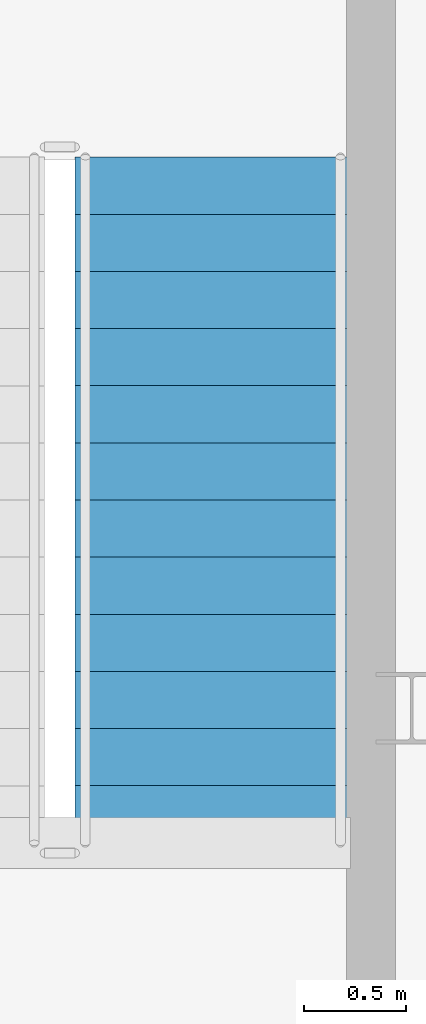
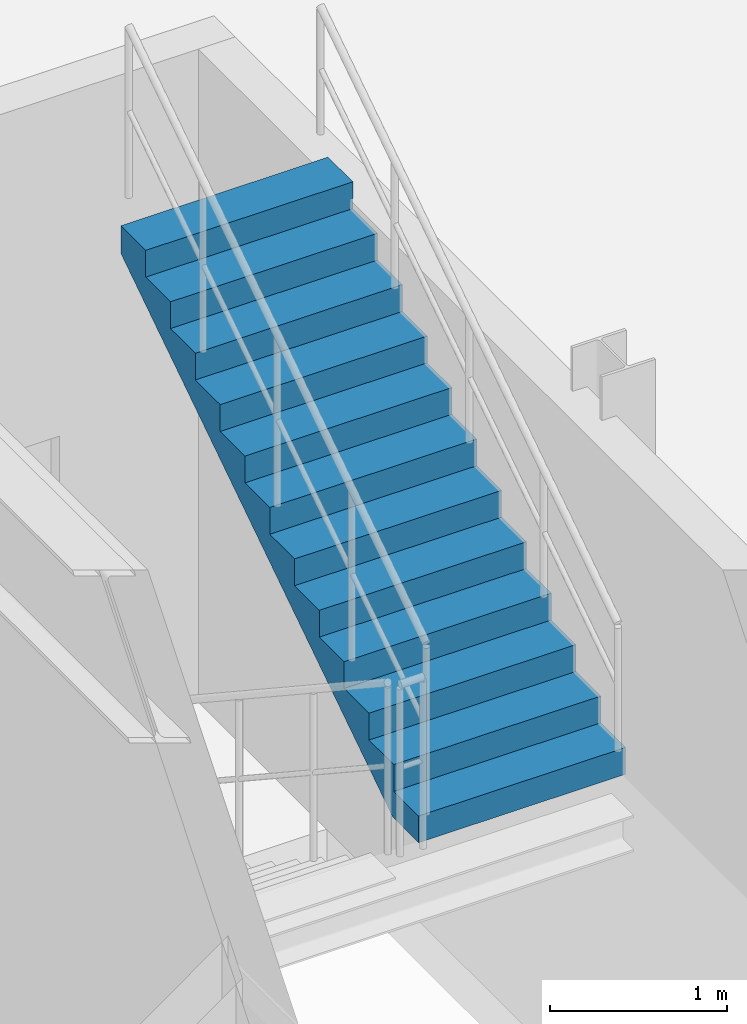
# One storey, part 19 of 23: 1 stair flight, 1 element without a shape of its own.
"""IFC4 building model written with IfcOpenShell, lengths in metres."""

from ifc_helpers import new_model, si_unit, direction, frame, origin, place, context, subcontext, project, spatial, polyline, outline, extrude, material, type_object, element, aggregate, save


model = new_model("IFC4")

# Units and contexts
model_context = context("Model", 3, precision=1e-05, world=origin(), true_north=direction((0.0, 1.0)))
body_context = subcontext(model_context, "Body", "Model", "MODEL_VIEW")
ifc_project = project(units=[si_unit("LENGTHUNIT", "METRE"), si_unit("AREAUNIT", "SQUARE_METRE"), si_unit("VOLUMEUNIT", "CUBIC_METRE"), si_unit("PLANEANGLEUNIT", "RADIAN"), si_unit("MASSUNIT", "GRAM", prefix="KILO")], contexts=[model_context])

# Site, building, storey
site_placement = place(None, origin())
site = spatial("IfcSite", under=ifc_project, at=site_placement, CompositionType="ELEMENT")
building_placement = place(site_placement, origin())
building = spatial("IfcBuilding", under=site, at=building_placement, Name="Miruveldt Soraemaru", CompositionType="ELEMENT")
storey_placement = place(building_placement, frame((0.0, 0.0, 14.39990234375)))
storey = spatial("IfcBuildingStorey", under=building, at=storey_placement, Name="L04", CompositionType="ELEMENT", Elevation=14.39990234375)

# Stair, stair flight
ifc_material = material(Name="Steel S355 (355 MPa)", Category="steel")
stair_type = type_object("IfcStairType", Name="STAIR-FEAT-STR", PredefinedType="TWO_STRAIGHT_RUN_STAIR", material=ifc_material)
stair_placement = place(storey_placement, origin())
stair = element("IfcStair", 1, at=stair_placement, inside=storey, type_object=stair_type, Name="L04 Podium Garden Feature Stair ST-4", PredefinedType="TWO_STRAIGHT_RUN_STAIR")
stair_flight_type = type_object("IfcStairFlightType", Name="SFL-FEAT-STR", PredefinedType="STRAIGHT", material=ifc_material)
stair_flight_placement = place(storey_placement, frame((58.97509765625, 39.840087890625, 2.400146484375), z_axis=(0.0, 0.0, 1.0), x_axis=(0.0, 1.0, 0.0)))
stair_flight = element("IfcStairFlight", 2, at=stair_flight_placement, type_object=stair_flight_type, Name="ST-4 flight 2", NumberOfRisers=13, NumberOfTreads=12, PredefinedType="STRAIGHT", RiserHeight=0.184615385, TreadLength=0.28, context=body_context, shape_type="SweptSolid", body=[
    extrude(outline(polyline([(0.0, 0.0), (0.0, 0.1845703125), (0.280029296875, 0.1845703125), (0.280029296875, 0.369140625), (0.56005859375, 0.369140625), (0.56005859375, 0.553955078125), (0.840087890625, 0.553955078125), (0.840087890625, 0.738525390625), (1.1201171875, 0.738525390625), (1.1201171875, 0.923095703125), (1.39990234375, 0.923095703125), (1.39990234375, 1.107666015625), (1.679931640625, 1.107666015625), (1.679931640625, 1.292236328125), (1.9599609375, 1.292236328125), (1.9599609375, 1.476806640625), (2.239990234375, 1.476806640625), (2.239990234375, 1.66162109375), (2.52001953125, 1.66162109375), (2.52001953125, 1.84619140625), (2.800048828125, 1.84619140625), (2.800048828125, 2.03076171875), (3.080078125, 2.03076171875), (3.080078125, 2.21533203125), (3.360107421875, 2.21533203125), (3.360107421875, 2.39990234375), (3.360107421875, 2.02392578125), (0.29052734375, 0.0), (0.0, 0.0)])), frame((0.0, 0.675048828125, 0.0), z_axis=(0.0, -1.0, 0.0), x_axis=(1.0, 0.0, 0.0)), (0.0, 0.0, 1.0), 1.35009765625),
])
aggregate(stair, [stair_flight])

save(model, "model.ifc")
